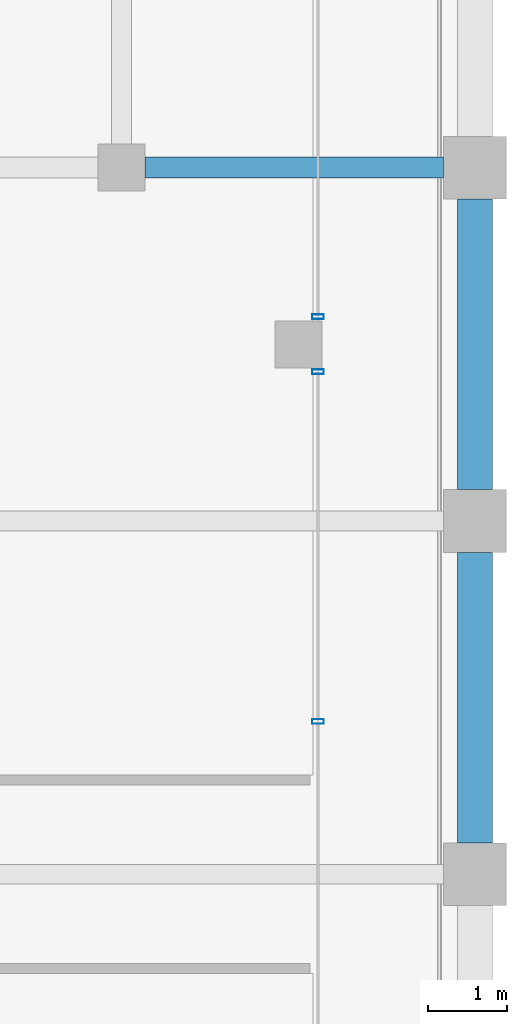
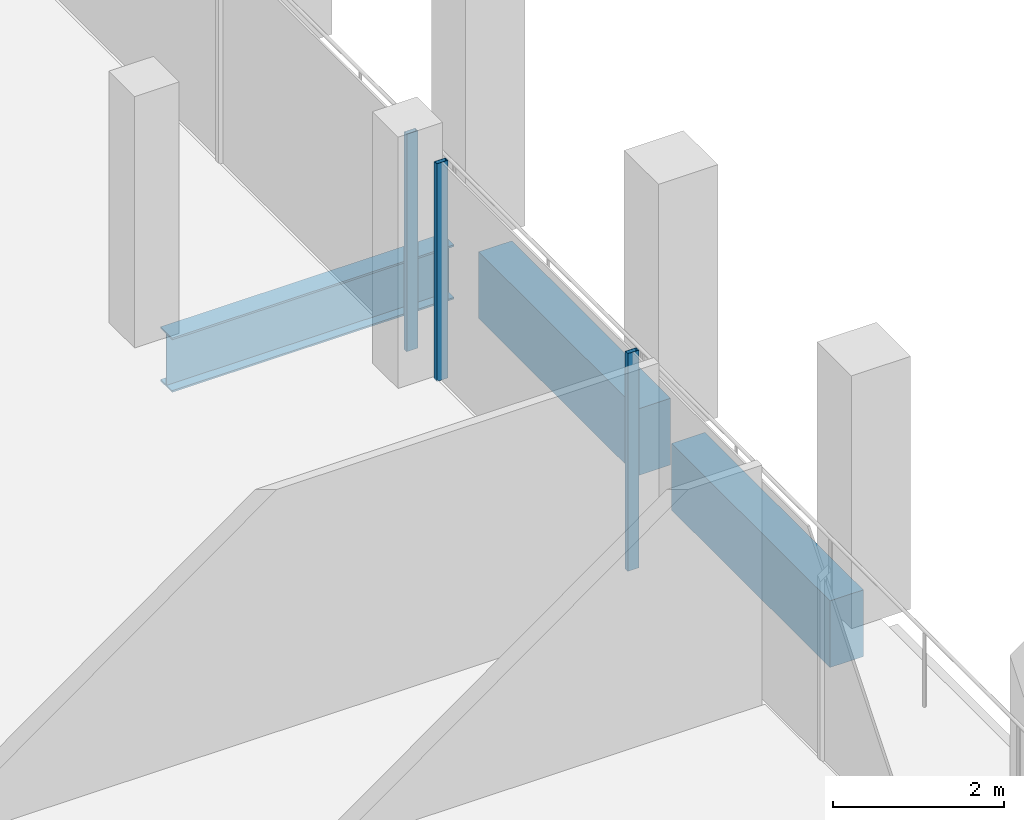
# One storey, part 19 of 30: 3 beams, 3 members, 2 elements without a shape of their own.
"""IFC4 building model written with IfcOpenShell, lengths in metres."""

from ifc_helpers import new_model, si_unit, direction, frame, origin, origin_2d, place, context, subcontext, project, spatial, rectangle, hollow_rectangle, i_section, extrude, material, material_profile, profile_set, type_object, element, aggregate, save


model = new_model("IFC4")

# Units and contexts
model_context = context("Model", 3, precision=1e-05, world=origin(), true_north=direction((0.0, 1.0)))
body_context = subcontext(model_context, "Body", "Model", "MODEL_VIEW")
ifc_project = project(units=[si_unit("LENGTHUNIT", "METRE"), si_unit("AREAUNIT", "SQUARE_METRE"), si_unit("VOLUMEUNIT", "CUBIC_METRE"), si_unit("PLANEANGLEUNIT", "RADIAN"), si_unit("MASSUNIT", "GRAM", prefix="KILO")], contexts=[model_context])

# Site, building, storey
site_placement = place(None, origin())
site = spatial("IfcSite", under=ifc_project, at=site_placement, CompositionType="ELEMENT")
building_placement = place(site_placement, origin())
building = spatial("IfcBuilding", under=site, at=building_placement, Name="Altepetl Exchange Towers", CompositionType="ELEMENT")
storey_placement = place(building_placement, frame((0.0, 0.0, 220.800048828125)))
storey = spatial("IfcBuildingStorey", under=building, at=storey_placement, Name="L56", CompositionType="ELEMENT", Elevation=220.800048828125)

# Beam
ifc_material_1 = material(Name="Steel S355", Category="steel")
ifc_material_profile_1 = material_profile(ifc_material_1, i_section(OverallWidth=0.26806640625, OverallDepth=0.77392578125, WebThickness=0.015380859375, FlangeThickness=0.025390625, at=origin_2d()), Name="W30X132")
ifc_profile_set_1 = profile_set([ifc_material_profile_1], Name="Steel S355")
beam_type_1 = type_object("IfcBeamType", Name="Girder W30X132", PredefinedType="BEAM", material=ifc_profile_set_1)
beam_placement = place(storey_placement, frame((67.800048828125, 58.5, -0.537109375), z_axis=(1.0, 0.0, 0.0), x_axis=(0.0, 1.0, 0.0)))
element("IfcBeam", 1, at=beam_placement, inside=storey, type_object=beam_type_1, Name="gd:A:L56:002", PredefinedType="BEAM", context=body_context, shape_type="SweptSolid", body=[
    extrude(i_section(OverallWidth=0.26806640625, OverallDepth=0.77392578125, WebThickness=0.015380859375, FlangeThickness=0.025390625, at=origin_2d()), origin(), (0.0, 0.0, 1.0), 3.800048828125),
])

# Curtain wall, members
ifc_material_2 = material(Name="Aluminium 6063-T6 glazing", Category="aluminium")
curtain_wall_type = type_object("IfcCurtainWallType", Name="Loggia glazing system", PredefinedType="NOTDEFINED", material=ifc_material_2)
curtain_wall_1_placement = place(storey_placement, origin())
curtain_wall_1 = element("IfcCurtainWall", 2, at=curtain_wall_1_placement, inside=storey, type_object=curtain_wall_type, Name="CW1 run", PredefinedType="NOTDEFINED")
ifc_material_3 = material(Name="Aluminium 6063-T6", Category="aluminium")
ifc_material_profile_2 = material_profile(ifc_material_3, hollow_rectangle(XDim=0.06005859375, YDim=0.14990234375, WallThickness=0.0029296875, at=origin_2d()), Name="Mullion 60x150 aluminium")
ifc_profile_set_2 = profile_set([ifc_material_profile_2], Name="Aluminium 6063-T6")
member_type = type_object("IfcMemberType", Name="Mullion 60x150 aluminium", PredefinedType="MULLION", material=ifc_profile_set_2)
member_1_placement = place(storey_placement, frame((70.0, 51.444091796875, 0.0), z_axis=(0.0, 0.0, 1.0), x_axis=(0.0, 1.0, 0.0)))
member_1 = element("IfcMember", 3, at=member_1_placement, type_object=member_type, Name="MU1 mullion", PredefinedType="MULLION", context=body_context, shape_type="SweptSolid", body=[
    extrude(hollow_rectangle(XDim=0.06005859375, YDim=0.14990234375, WallThickness=0.0029296875, at=origin_2d()), origin(), (0.0, 0.0, 1.0), 3.099853515625),
])
member_2_placement = place(storey_placement, frame((70.0, 55.89990234375, 0.0), z_axis=(0.0, 0.0, 1.0), x_axis=(0.0, 1.0, 0.0)))
member_2 = element("IfcMember", 4, at=member_2_placement, type_object=member_type, Name="MU1 mullion", PredefinedType="MULLION", context=body_context, shape_type="SweptSolid", body=[
    extrude(hollow_rectangle(XDim=0.06005859375, YDim=0.14990234375, WallThickness=0.0029296875, at=origin_2d()), origin(), (0.0, 0.0, 1.0), 3.099853515625),
])
aggregate(curtain_wall_1, [member_1, member_2])

# Curtain wall, member
curtain_wall_2_placement = place(storey_placement, origin())
curtain_wall_2 = element("IfcCurtainWall", 5, at=curtain_wall_2_placement, inside=storey, type_object=curtain_wall_type, Name="CW1 run", PredefinedType="NOTDEFINED")
member_3_placement = place(storey_placement, frame((70.0, 56.60009765625, 0.0), z_axis=(0.0, 0.0, 1.0), x_axis=(0.0, 1.0, 0.0)))
member_3 = element("IfcMember", 6, at=member_3_placement, type_object=member_type, Name="MU1 mullion", PredefinedType="MULLION", context=body_context, shape_type="SweptSolid", body=[
    extrude(hollow_rectangle(XDim=0.06005859375, YDim=0.14990234375, WallThickness=0.0029296875, at=origin_2d()), origin(), (0.0, 0.0, 1.0), 3.099853515625),
])
aggregate(curtain_wall_2, [member_3])

# Beams
ifc_material_4 = material(Name="Concrete C50/60 precast with cantera amarilla facing", Category="concrete")
ifc_material_profile_3 = material_profile(ifc_material_4, rectangle(XDim=0.449951171875, YDim=0.949951171875, at=origin_2d()), Name="450 x 950")
ifc_profile_set_3 = profile_set([ifc_material_profile_3], Name="Concrete C50/60 precast with cantera amarilla facing")
beam_type_2 = type_object("IfcBeamType", Name="Spandrel beam 450x950 cantera amarilla", PredefinedType="SPANDREL", material=ifc_profile_set_3)
for number, where, z_axis, x_axis, name in (
    (7, (72.0, 49.89990234375, -0.625), (0.0, 1.0, 0.0), (-1.0, 0.0, 0.0), "sp:A:L56:016"),
    (8, (72.0, 54.39990234375, -0.625), (0.0, 1.0, 0.0), (-1.0, 0.0, 0.0), "sp:A:L56:017"),
):
    element("IfcBeam", number, at=place(storey_placement, frame(where, z_axis=z_axis, x_axis=x_axis)), inside=storey, type_object=beam_type_2, Name=name, PredefinedType="SPANDREL", context=body_context, shape_type="SweptSolid", body=[
        extrude(rectangle(XDim=0.449951171875, YDim=0.949951171875, at=origin_2d()), origin(), (0.0, 0.0, 1.0), 3.7001953125),
    ])

save(model, "model.ifc")
